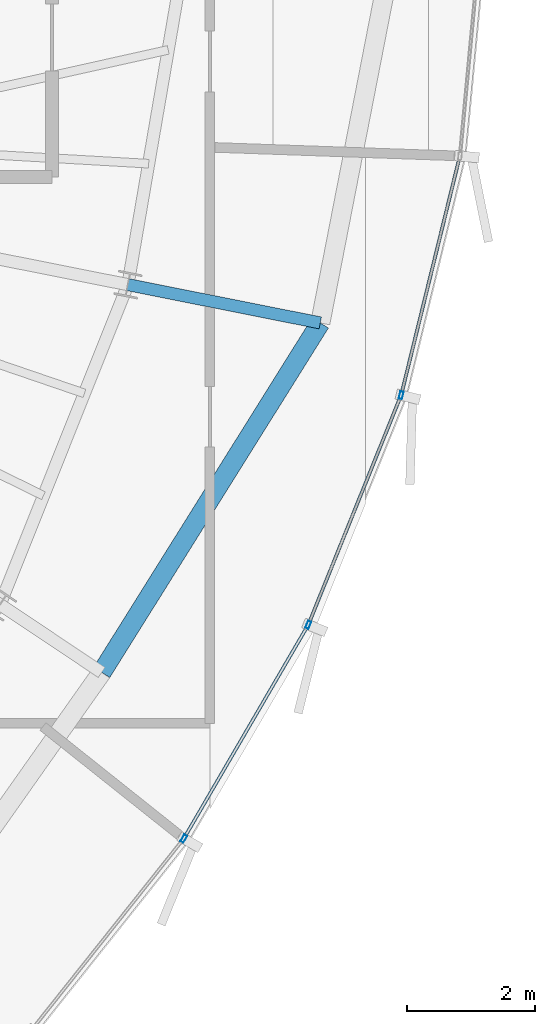
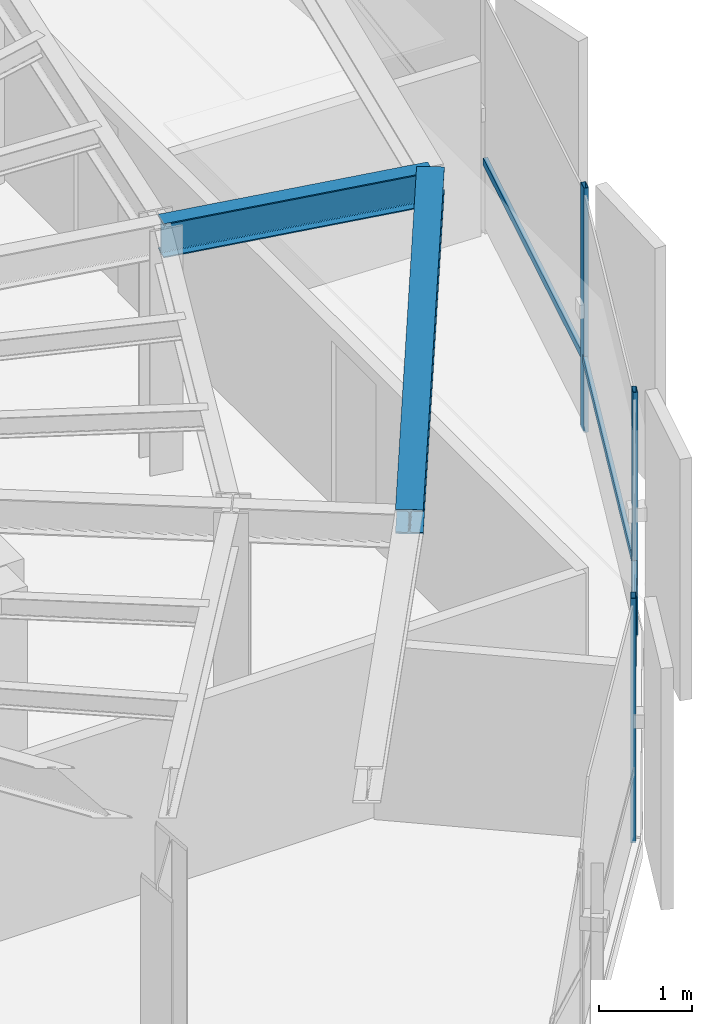
# One storey, part 14 of 31: 6 members, 2 beams, 1 element without a shape of its own.
"""IFC4 building model written with IfcOpenShell, lengths in metres."""

from ifc_helpers import new_model, si_unit, direction, frame, origin, origin_2d, place, context, subcontext, project, spatial, hollow_rectangle, i_section, extrude, source, transform, mapped, material, layer, layer_set, material_profile, profile_set, type_object, element, aggregate, save


model = new_model("IFC4")

# Units and contexts
model_context = context("Model", 3, precision=1e-05, world=origin(), true_north=direction((0.0, 1.0)))
body_context = subcontext(model_context, "Body", "Model", "MODEL_VIEW")
ifc_project = project(units=[si_unit("LENGTHUNIT", "METRE"), si_unit("AREAUNIT", "SQUARE_METRE"), si_unit("VOLUMEUNIT", "CUBIC_METRE"), si_unit("PLANEANGLEUNIT", "RADIAN"), si_unit("MASSUNIT", "GRAM", prefix="KILO"), si_unit("THERMODYNAMICTEMPERATUREUNIT", "KELVIN")], contexts=[model_context])

# Site, building, storey
site_placement = place(None, origin())
site = spatial("IfcSite", under=ifc_project, at=site_placement, CompositionType="ELEMENT")
building_placement = place(site_placement, origin())
building = spatial("IfcBuilding", under=site, at=building_placement, Name="Kethvar Cultural Tower", CompositionType="ELEMENT")
storey_placement = place(building_placement, frame((0.0, 0.0, 290.5)))
storey = spatial("IfcBuildingStorey", under=building, at=storey_placement, Name="L77", CompositionType="ELEMENT", Elevation=290.5)

# Beams
ifc_material_1 = material(Name="Steel S355J2", Category="steel")
ifc_material_profile_1 = material_profile(ifc_material_1, i_section(OverallWidth=0.18994140625, OverallDepth=0.449951171875, WebThickness=0.009521484375, FlangeThickness=0.0146484375, FilletRadius=0.02099609375, at=origin_2d()), Name="Steel S355J2 — IPE450")
ifc_profile_set_1 = profile_set([ifc_material_profile_1], Name="Steel S355J2 — IPE450")
beam_type_1 = type_object("IfcBeamType", Name="BM-IPE450", PredefinedType="BEAM", material=ifc_profile_set_1)
shared_shape_1 = source(origin(), body_context, "Body", "SweptSolid", [
    extrude(i_section(OverallWidth=0.18994140625, OverallDepth=0.449951171875, WebThickness=0.009521484375, FlangeThickness=0.0146484375, FilletRadius=0.02099609375, at=origin_2d()), origin(), (0.0, 0.0, 1.0), 3.0625),
])
beam_1_placement = place(storey_placement, frame((60.28369140625, 25.117919921875, 2.98291015625), z_axis=(0.980788618613, -0.195073538954, 0.0), x_axis=(0.195073538954, 0.980788618613, 0.0)))
element("IfcBeam", 1, at=beam_1_placement, inside=storey, type_object=beam_type_1, Name="L77 Perimeter Cantilever Beam RC-16", PredefinedType="BEAM", context=body_context, shape_type="MappedRepresentation", body=[
    mapped(shared_shape_1, transform((0.0, 0.0, 0.0), scale=1.0)),
])
ifc_material_profile_2 = material_profile(ifc_material_1, i_section(OverallWidth=0.300048828125, OverallDepth=0.320068359375, WebThickness=0.011474609375, FlangeThickness=0.0205078125, FilletRadius=0.027099609375, at=origin_2d()), Name="Steel S355J2 — HEB320")
ifc_profile_set_2 = profile_set([ifc_material_profile_2], Name="Steel S355J2 — HEB320")
beam_type_2 = type_object("IfcBeamType", Name="BM-SP320", PredefinedType="SPANDREL", material=ifc_profile_set_2)
shared_shape_2 = source(origin(), body_context, "Body", "SweptSolid", [
    extrude(i_section(OverallWidth=0.300048828125, OverallDepth=0.320068359375, WebThickness=0.011474609375, FlangeThickness=0.0205078125, FilletRadius=0.027099609375, at=origin_2d()), origin(), (0.0, 0.0, 1.0), 6.43603515625),
])
beam_2_placement = place(storey_placement, frame((59.873779296875, 19.064453125, 3.048095703125), z_axis=(0.530394419807, 0.847751000847, 0.0), x_axis=(-0.847751000847, 0.530394419807, 0.0)))
element("IfcBeam", 2, at=beam_2_placement, inside=storey, type_object=beam_type_2, Name="L77 Perimeter Spandrel Beam SP-15", PredefinedType="SPANDREL", context=body_context, shape_type="MappedRepresentation", body=[
    mapped(shared_shape_2, transform((0.0, 0.0, 0.0), scale=1.0)),
])

# Curtain wall, members
ifc_material_2 = material(Name="Aluminium 6063-T6", Category="aluminium")
ifc_layer = layer(ifc_material_2, 0.179931640625, Name="Aluminium 6063-T6", Category="aluminium")
ifc_layer_set = layer_set([ifc_layer], Name="Aluminium 6063-T6 (180 mm)")
curtain_wall_type = type_object("IfcCurtainWallType", Name="CW-SYS-05-Z56", PredefinedType="NOTDEFINED", material=ifc_layer_set)
curtain_wall_placement = place(storey_placement, origin())
curtain_wall = element("IfcCurtainWall", 3, at=curtain_wall_placement, inside=storey, type_object=curtain_wall_type, Name="L77 Curtain Wall Run 05", PredefinedType="NOTDEFINED")
ifc_material_profile_3 = material_profile(ifc_material_2, hollow_rectangle(XDim=0.054931640625, YDim=0.1201171875, WallThickness=0.00390625, at=origin_2d()), Name="Aluminium 6063-T6 — RHS120x55x4")
ifc_profile_set_3 = profile_set([ifc_material_profile_3], Name="Aluminium 6063-T6 — RHS120x55x4")
member_type_1 = type_object("IfcMemberType", Name="CW-SYS-05-Z56-MUL", PredefinedType="MULLION", material=ifc_profile_set_3)
shared_shape_3 = source(origin(), body_context, "Body", "SweptSolid", [
    extrude(hollow_rectangle(XDim=0.054931640625, YDim=0.1201171875, WallThickness=0.00390625, at=origin_2d()), origin(), (0.0, 0.0, 1.0), 3.2099609375),
])
member_1_placement = place(storey_placement, frame((61.15625, 16.468994140625, 0.0), z_axis=(0.0, 0.0, 1.0), x_axis=(-0.864248462706, 0.503065199263, 0.0)))
member_1 = element("IfcMember", 4, at=member_1_placement, type_object=member_type_1, Name="CW-L77-R05 Mullion 3", PredefinedType="MULLION", context=body_context, shape_type="MappedRepresentation", body=[
    mapped(shared_shape_3, transform((0.0, 0.0, 0.0), scale=1.0)),
])
member_2_placement = place(storey_placement, frame((63.10009765625, 19.806640625, 0.0), z_axis=(0.0, 0.0, 1.0), x_axis=(-0.92716423894, 0.374655140135, 0.0)))
member_2 = element("IfcMember", 5, at=member_2_placement, type_object=member_type_1, Name="CW-L77-R05 Mullion 4", PredefinedType="MULLION", context=body_context, shape_type="MappedRepresentation", body=[
    mapped(shared_shape_3, transform((0.0, 0.0, 0.0), scale=1.0)),
])
member_3_placement = place(storey_placement, frame((64.550048828125, 23.391845703125, 0.0), z_axis=(0.0, 0.0, 1.0), x_axis=(-0.971209169481, 0.238228354981, 0.0)))
member_3 = element("IfcMember", 6, at=member_3_placement, type_object=member_type_1, Name="CW-L77-R05 Mullion 5", PredefinedType="MULLION", context=body_context, shape_type="MappedRepresentation", body=[
    mapped(shared_shape_3, transform((0.0, 0.0, 0.0), scale=1.0)),
])
ifc_material_profile_4 = material_profile(ifc_material_2, hollow_rectangle(XDim=0.050048828125, YDim=0.10009765625, WallThickness=0.00390625, at=origin_2d()), Name="Aluminium 6063-T6 — RHS100x50x4")
ifc_profile_set_4 = profile_set([ifc_material_profile_4], Name="Aluminium 6063-T6 — RHS100x50x4")
member_type_2 = type_object("IfcMemberType", Name="CW-SYS-05-Z56-TRN", PredefinedType="USERDEFINED", material=ifc_profile_set_4)
shared_shape_4 = source(origin(), body_context, "Body", "SweptSolid", [
    extrude(hollow_rectangle(XDim=0.050048828125, YDim=0.10009765625, WallThickness=0.00390625, at=origin_2d()), origin(), (0.0, 0.0, 1.0), 3.78125),
])
member_4_placement = place(storey_placement, frame((64.5595703125, 23.430419921875, 0.949951171875), z_axis=(0.238188203378, 0.971219017406, 0.0), x_axis=(-0.971219017406, 0.238188203378, 0.0)))
member_4 = element("IfcMember", 7, at=member_4_placement, type_object=member_type_2, Name="CW-L77-R05 Transom 5", ObjectType="TRANSOM", PredefinedType="USERDEFINED", context=body_context, shape_type="MappedRepresentation", body=[
    mapped(shared_shape_4, transform((0.0, 0.0, 0.0), scale=1.0)),
])
shared_shape_5 = source(origin(), body_context, "Body", "SweptSolid", [
    extrude(hollow_rectangle(XDim=0.050048828125, YDim=0.10009765625, WallThickness=0.00390625, at=origin_2d()), origin(), (0.0, 0.0, 1.0), 3.797607421875),
])
member_5_placement = place(storey_placement, frame((61.17626953125, 16.50341796875, 0.949951171875), z_axis=(0.503067352134, 0.864247209551, 0.0), x_axis=(-0.864247209551, 0.503067352134, 0.0)))
member_5 = element("IfcMember", 8, at=member_5_placement, type_object=member_type_2, Name="CW-L77-R05 Transom 3", ObjectType="TRANSOM", PredefinedType="USERDEFINED", context=body_context, shape_type="MappedRepresentation", body=[
    mapped(shared_shape_5, transform((0.0, 0.0, 0.0), scale=1.0)),
])
shared_shape_6 = source(origin(), body_context, "Body", "SweptSolid", [
    extrude(hollow_rectangle(XDim=0.050048828125, YDim=0.10009765625, WallThickness=0.00390625, at=origin_2d()), origin(), (0.0, 0.0, 1.0), 3.80224609375),
])
member_6_placement = place(storey_placement, frame((63.114990234375, 19.843505859375, 0.949951171875), z_axis=(0.374654134689, 0.927164645228, 0.0), x_axis=(-0.927164645228, 0.374654134689, 0.0)))
member_6 = element("IfcMember", 9, at=member_6_placement, type_object=member_type_2, Name="CW-L77-R05 Transom 4", ObjectType="TRANSOM", PredefinedType="USERDEFINED", context=body_context, shape_type="MappedRepresentation", body=[
    mapped(shared_shape_6, transform((0.0, 0.0, 0.0), scale=1.0)),
])
aggregate(curtain_wall, [member_1, member_2, member_3, member_5, member_6, member_4])

save(model, "model.ifc")
